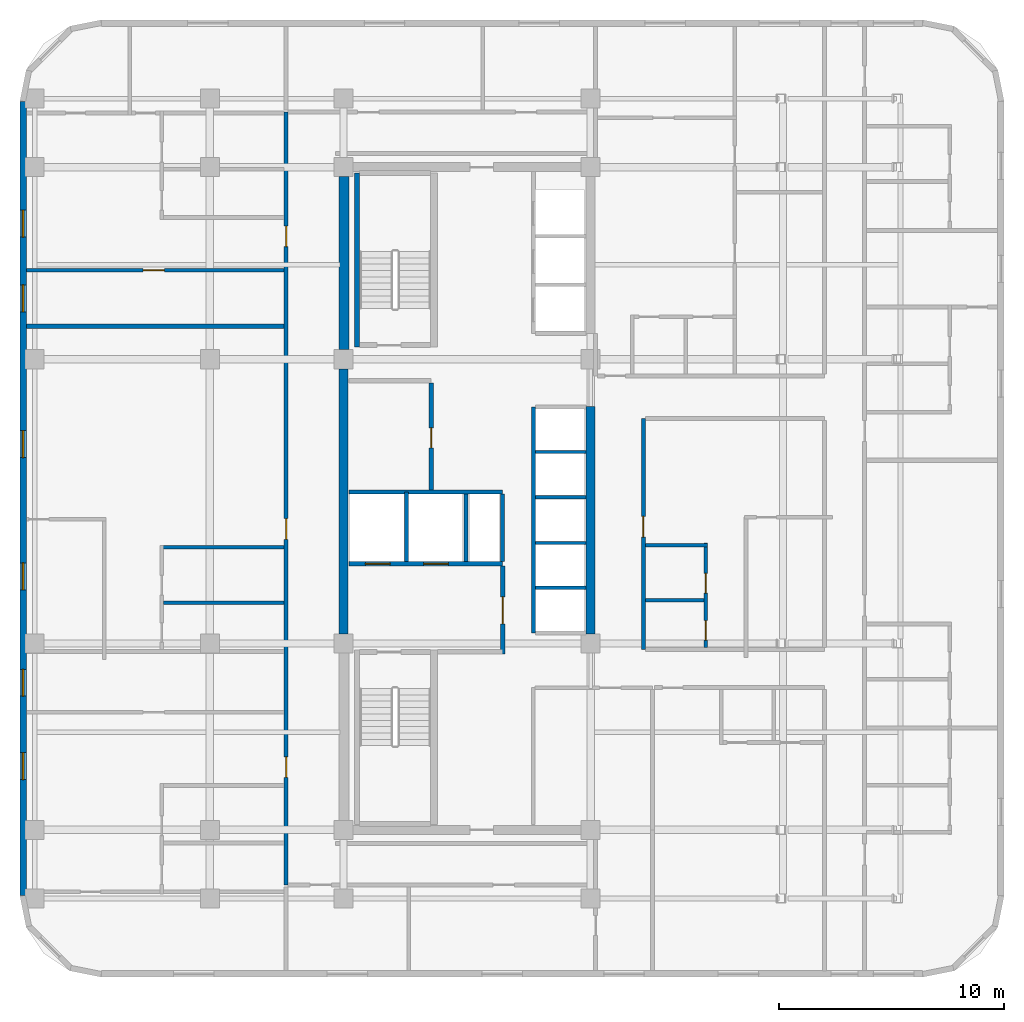
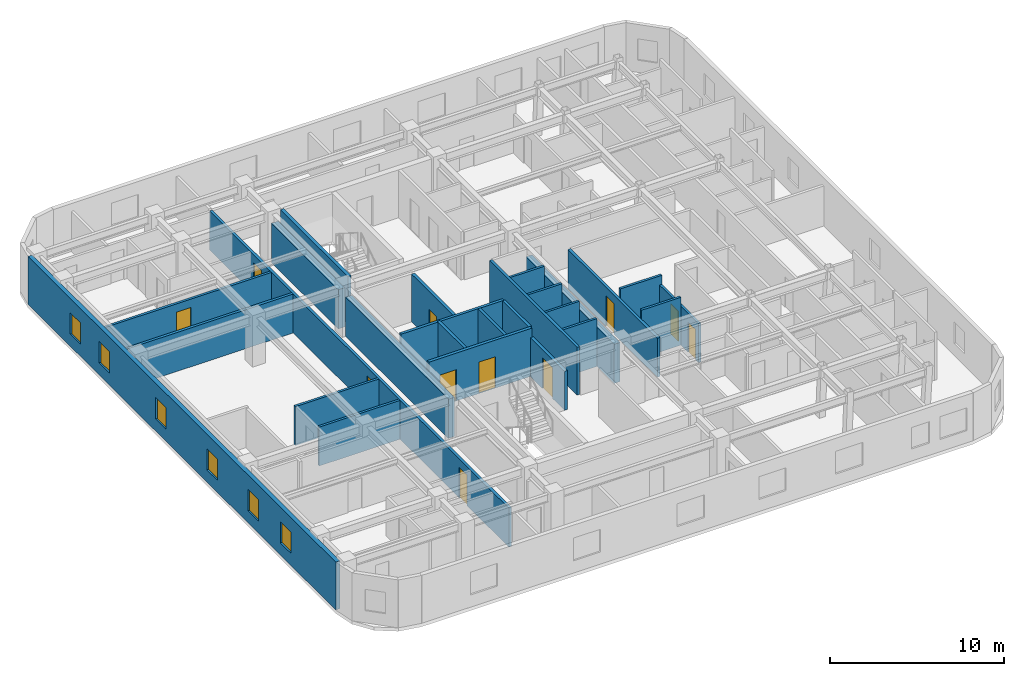
# One storey, part 4 of 9: 26 walls, 11 doors, 6 windows, 17 openings.
"""IFC4 building model written with IfcOpenShell, lengths in metres."""

from ifc_helpers import new_model, si_unit, direction, frame, frame_2d, origin, place, context, subcontext, project, spatial, rectangle, extrude, material, layer, layer_set, type_object, element, fill, save


model = new_model("IFC4")

# Units and contexts
model_context = context("Model", 3, precision=1e-05, world=origin(), true_north=direction((0.0, 1.0)))
body_context = subcontext(model_context, "Body", "Model", "MODEL_VIEW")
ifc_project = project(units=[si_unit("LENGTHUNIT", "METRE"), si_unit("AREAUNIT", "SQUARE_METRE"), si_unit("VOLUMEUNIT", "CUBIC_METRE"), si_unit("PLANEANGLEUNIT", "RADIAN"), si_unit("MASSUNIT", "GRAM", prefix="KILO")], contexts=[model_context])

# Site, building, storey
site_placement = place(None, origin())
site = spatial("IfcSite", under=ifc_project, at=site_placement, CompositionType="ELEMENT")
building_placement = place(site_placement, origin())
building = spatial("IfcBuilding", under=site, at=building_placement, Name="Ochreholt Gables", CompositionType="ELEMENT")
storey_placement = place(building_placement, frame((0.0, 0.0, 106.199951171875)))
storey = spatial("IfcBuildingStorey", under=building, at=storey_placement, Name="L27", CompositionType="ELEMENT", Elevation=106.199951171875)

# Walls
ifc_material_1 = material(Name="Concrete 60 MPa", Category="concrete")
ifc_layer_1 = layer(ifc_material_1, 0.39990234375, Name="Concrete 60 MPa")
ifc_layer_set_1 = layer_set([ifc_layer_1], Name="Concrete 60 MPa")
wall_type_1 = type_object("IfcWallType", Name="WALL-CSW-400", PredefinedType="SHEAR", material=ifc_layer_set_1)
wall_1_placement = place(storey_placement, frame((24.199951171875, 17.97509765625, 0.0), z_axis=(0.0, 0.0, 1.0), x_axis=(0.0, 1.0, 0.0)))
element("IfcWall", 1, at=wall_1_placement, inside=storey, type_object=wall_type_1, Name="L27 Core West Shear Wall WM", PredefinedType="SHEAR", context=body_context, shape_type="SweptSolid", body=[
    extrude(rectangle(XDim=11.7998046875, YDim=0.39990234375, at=frame_2d((5.89990234375, 0.0))), origin(), (0.0, 0.0, 1.0), 2.7490234375),
])
wall_2_placement = place(storey_placement, frame((35.199951171875, 17.97509765625, 0.0), z_axis=(0.0, 0.0, 1.0), x_axis=(0.0, 1.0, 0.0)))
element("IfcWall", 2, at=wall_2_placement, inside=storey, type_object=wall_type_1, Name="L27 Core Central-East Shear Wall", PredefinedType="SHEAR", context=body_context, shape_type="SweptSolid", body=[
    extrude(rectangle(XDim=10.125, YDim=0.39990234375, at=frame_2d((5.0625, 0.0))), origin(), (0.0, 0.0, 1.0), 2.7490234375),
])
ifc_layer_2 = layer(ifc_material_1, 0.449951171875, Name="Concrete 60 MPa")
ifc_layer_set_2 = layer_set([ifc_layer_2], Name="Concrete 60 MPa")
wall_type_2 = type_object("IfcWallType", Name="WALL-CSW-450", PredefinedType="SHEAR", material=ifc_layer_set_2)
wall_3_placement = place(storey_placement, frame((24.22509765625, 30.625, 0.0), z_axis=(0.0, 0.0, 1.0), x_axis=(0.0, 1.0, 0.0)))
element("IfcWall", 3, at=wall_3_placement, inside=storey, type_object=wall_type_2, Name="L27 Core West Shear Wall WN", PredefinedType="SHEAR", context=body_context, shape_type="SweptSolid", body=[
    extrude(rectangle(XDim=7.699951171875, YDim=0.449951171875, at=frame_2d((3.85009765625, 0.0))), origin(), (0.0, 0.0, 1.0), 2.7490234375),
])

# Wall, openings, windows
ifc_material_2 = material(Name="Precast concrete 40 MPa", Category="concrete")
ifc_layer_3 = layer(ifc_material_2, 0.280029296875, Name="Precast concrete 40 MPa")
ifc_layer_set_3 = layer_set([ifc_layer_3], Name="Precast concrete 40 MPa")
wall_type_3 = type_object("IfcWallType", Name="WALL-EXT-280", PredefinedType="SOLIDWALL", material=ifc_layer_set_3)
wall_4_placement = place(storey_placement, frame((9.93994140625, 41.679931640625, 0.0), z_axis=(0.0, 0.0, 1.0), x_axis=(0.0, -1.0, 0.0)))
wall_4 = element("IfcWall", 4, at=wall_4_placement, inside=storey, type_object=wall_type_3, Name="L27 West Exterior Wall", PredefinedType="SOLIDWALL", context=body_context, shape_type="SweptSolid", body=[
    extrude(rectangle(XDim=35.35986328125, YDim=0.280029296875, at=frame_2d((17.679931640625, 0.0))), origin(), (0.0, 0.0, 1.0), 3.360107421875),
])
opening_1_placement = place(wall_4_placement, frame((28.9912109375, 0.0, 0.85009765625)))
opening_1 = element("IfcOpeningElement", 5, at=opening_1_placement, cuts=wall_4, Name="Opening WN-3", PredefinedType="OPENING", context=body_context, shape_type="SweptSolid", body=[
    extrude(rectangle(XDim=1.199951171875, YDim=1.5, at=frame_2d((0.60009765625, 0.75))), frame((0.0, 0.14990234375, 0.0), z_axis=(0.0, -1.0, 0.0), x_axis=(1.0, 0.0, 0.0)), (0.0, 0.0, 1.0), 0.300048828125),
])
opening_2_placement = place(wall_4_placement, frame((25.281005859375, 0.0, 0.85009765625)))
opening_2 = element("IfcOpeningElement", 6, at=opening_2_placement, cuts=wall_4, Name="Opening WN-3", PredefinedType="OPENING", context=body_context, shape_type="SweptSolid", body=[
    extrude(rectangle(XDim=1.199951171875, YDim=1.5, at=frame_2d((0.60009765625, 0.75))), frame((0.0, 0.14990234375, 0.0), z_axis=(0.0, -1.0, 0.0), x_axis=(1.0, 0.0, 0.0)), (0.0, 0.0, 1.0), 0.300048828125),
])
opening_3_placement = place(wall_4_placement, frame((20.548095703125, 0.0, 0.85009765625)))
opening_3 = element("IfcOpeningElement", 7, at=opening_3_placement, cuts=wall_4, Name="Opening WN-3", PredefinedType="OPENING", context=body_context, shape_type="SweptSolid", body=[
    extrude(rectangle(XDim=1.199951171875, YDim=1.5, at=frame_2d((0.60009765625, 0.75))), frame((0.0, 0.14990234375, 0.0), z_axis=(0.0, -1.0, 0.0), x_axis=(1.0, 0.0, 0.0)), (0.0, 0.0, 1.0), 0.300048828125),
])
opening_4_placement = place(wall_4_placement, frame((14.6630859375, 0.0, 0.85009765625)))
opening_4 = element("IfcOpeningElement", 8, at=opening_4_placement, cuts=wall_4, Name="Opening WN-3", PredefinedType="OPENING", context=body_context, shape_type="SweptSolid", body=[
    extrude(rectangle(XDim=1.199951171875, YDim=1.5, at=frame_2d((0.60009765625, 0.75))), frame((0.0, 0.14990234375, 0.0), z_axis=(0.0, -1.0, 0.0), x_axis=(1.0, 0.0, 0.0)), (0.0, 0.0, 1.0), 0.300048828125),
])
opening_5_placement = place(wall_4_placement, frame((8.1669921875, 0.0, 0.85009765625)))
opening_5 = element("IfcOpeningElement", 9, at=opening_5_placement, cuts=wall_4, Name="Opening WN-3", PredefinedType="OPENING", context=body_context, shape_type="SweptSolid", body=[
    extrude(rectangle(XDim=1.199951171875, YDim=1.5, at=frame_2d((0.60009765625, 0.75))), frame((0.0, 0.14990234375, 0.0), z_axis=(0.0, -1.0, 0.0), x_axis=(1.0, 0.0, 0.0)), (0.0, 0.0, 1.0), 0.300048828125),
])
opening_6_placement = place(wall_4_placement, frame((4.845947265625, 0.0, 0.85009765625)))
opening_6 = element("IfcOpeningElement", 10, at=opening_6_placement, cuts=wall_4, Name="Opening WN-3", PredefinedType="OPENING", context=body_context, shape_type="SweptSolid", body=[
    extrude(rectangle(XDim=1.199951171875, YDim=1.5, at=frame_2d((0.60009765625, 0.75))), frame((0.0, 0.14990234375, 0.0), z_axis=(0.0, -1.0, 0.0), x_axis=(1.0, 0.0, 0.0)), (0.0, 0.0, 1.0), 0.300048828125),
])
ifc_material_3 = material(Name="Triple-Glazed Thermally Broken Aluminium Window", Category="aluminium")
window_type = type_object("IfcWindowType", Name="WIN-RES-1200", PartitioningType="SINGLE_PANEL", PredefinedType="WINDOW", material=ifc_material_3)
window_1_placement = place(opening_1_placement, origin())
window_1 = element("IfcWindow", 11, at=window_1_placement, inside=storey, type_object=window_type, Name="L27 Window W-EXT-W-L27-1", OverallHeight=1.5, OverallWidth=1.199951171875, PartitioningType="SINGLE_PANEL", PredefinedType="WINDOW", context=body_context, shape_type="SweptSolid", body=[
    extrude(rectangle(XDim=1.199951171875, YDim=1.5, at=frame_2d((0.60009765625, 0.75))), frame((0.0, 0.030029296875, 0.0), z_axis=(0.0, -1.0, 0.0), x_axis=(1.0, 0.0, 0.0)), (0.0, 0.0, 1.0), 0.06005859375),
])
fill(opening_1, window_1)
window_2_placement = place(opening_2_placement, origin())
window_2 = element("IfcWindow", 12, at=window_2_placement, inside=storey, type_object=window_type, Name="L27 Window W-EXT-W-L27-2", OverallHeight=1.5, OverallWidth=1.199951171875, PartitioningType="SINGLE_PANEL", PredefinedType="WINDOW", context=body_context, shape_type="SweptSolid", body=[
    extrude(rectangle(XDim=1.199951171875, YDim=1.5, at=frame_2d((0.60009765625, 0.75))), frame((0.0, 0.030029296875, 0.0), z_axis=(0.0, -1.0, 0.0), x_axis=(1.0, 0.0, 0.0)), (0.0, 0.0, 1.0), 0.06005859375),
])
fill(opening_2, window_2)
window_3_placement = place(opening_3_placement, origin())
window_3 = element("IfcWindow", 13, at=window_3_placement, inside=storey, type_object=window_type, Name="L27 Window W-EXT-W-L27-3", OverallHeight=1.5, OverallWidth=1.199951171875, PartitioningType="SINGLE_PANEL", PredefinedType="WINDOW", context=body_context, shape_type="SweptSolid", body=[
    extrude(rectangle(XDim=1.199951171875, YDim=1.5, at=frame_2d((0.60009765625, 0.75))), frame((0.0, 0.030029296875, 0.0), z_axis=(0.0, -1.0, 0.0), x_axis=(1.0, 0.0, 0.0)), (0.0, 0.0, 1.0), 0.06005859375),
])
fill(opening_3, window_3)
window_4_placement = place(opening_4_placement, origin())
window_4 = element("IfcWindow", 14, at=window_4_placement, inside=storey, type_object=window_type, Name="L27 Window W-EXT-W-L27-4", OverallHeight=1.5, OverallWidth=1.199951171875, PartitioningType="SINGLE_PANEL", PredefinedType="WINDOW", context=body_context, shape_type="SweptSolid", body=[
    extrude(rectangle(XDim=1.199951171875, YDim=1.5, at=frame_2d((0.60009765625, 0.75))), frame((0.0, 0.030029296875, 0.0), z_axis=(0.0, -1.0, 0.0), x_axis=(1.0, 0.0, 0.0)), (0.0, 0.0, 1.0), 0.06005859375),
])
fill(opening_4, window_4)
window_5_placement = place(opening_5_placement, origin())
window_5 = element("IfcWindow", 15, at=window_5_placement, inside=storey, type_object=window_type, Name="L27 Window W-EXT-W-L27-5", OverallHeight=1.5, OverallWidth=1.199951171875, PartitioningType="SINGLE_PANEL", PredefinedType="WINDOW", context=body_context, shape_type="SweptSolid", body=[
    extrude(rectangle(XDim=1.199951171875, YDim=1.5, at=frame_2d((0.60009765625, 0.75))), frame((0.0, 0.030029296875, 0.0), z_axis=(0.0, -1.0, 0.0), x_axis=(1.0, 0.0, 0.0)), (0.0, 0.0, 1.0), 0.06005859375),
])
fill(opening_5, window_5)
window_6_placement = place(opening_6_placement, origin())
window_6 = element("IfcWindow", 16, at=window_6_placement, inside=storey, type_object=window_type, Name="L27 Window W-EXT-W-L27-6", OverallHeight=1.5, OverallWidth=1.199951171875, PartitioningType="SINGLE_PANEL", PredefinedType="WINDOW", context=body_context, shape_type="SweptSolid", body=[
    extrude(rectangle(XDim=1.199951171875, YDim=1.5, at=frame_2d((0.60009765625, 0.75))), frame((0.0, 0.030029296875, 0.0), z_axis=(0.0, -1.0, 0.0), x_axis=(1.0, 0.0, 0.0)), (0.0, 0.0, 1.0), 0.06005859375),
])
fill(opening_6, window_6)

# Wall, openings, doors
ifc_material_4 = material(Name="Concrete 40 MPa", Category="concrete")
ifc_layer_4 = layer(ifc_material_4, 0.199951171875, Name="Concrete 40 MPa")
ifc_layer_set_4 = layer_set([ifc_layer_4], Name="Concrete 40 MPa")
wall_type_4 = type_object("IfcWallType", Name="WALL-INT-CF200", PredefinedType="STANDARD", material=ifc_layer_set_4)
wall_5_placement = place(storey_placement, frame((24.449951171875, 21.090087890625, 0.0), z_axis=(0.0, 0.0, 1.0), x_axis=(1.0, 0.0, 0.0)))
wall_5 = element("IfcWall", 17, at=wall_5_placement, inside=storey, type_object=wall_type_4, Name="L27 Interior Wall WI-FFN-L27", PredefinedType="STANDARD", context=body_context, shape_type="SweptSolid", body=[
    extrude(rectangle(XDim=6.830078125, YDim=0.199951171875, at=frame_2d((3.4150390625, 0.0))), origin(), (0.0, 0.0, 1.0), 3.360107421875),
])
opening_7_placement = place(wall_5_placement, frame((0.719970703125, 0.0, 0.0)))
opening_7 = element("IfcOpeningElement", 18, at=opening_7_placement, cuts=wall_5, Name="Opening LD-FF", PredefinedType="OPENING", context=body_context, shape_type="SweptSolid", body=[
    extrude(rectangle(XDim=1.10009765625, YDim=2.199951171875, at=frame_2d((0.550048828125, 1.10009765625))), frame((0.0, 0.10986328125, 0.0), z_axis=(0.0, -1.0, 0.0), x_axis=(1.0, 0.0, 0.0)), (0.0, 0.0, 1.0), 0.219970703125),
])
opening_8_placement = place(wall_5_placement, frame((3.320068359375, 0.0, 0.0)))
opening_8 = element("IfcOpeningElement", 19, at=opening_8_placement, cuts=wall_5, Name="Opening LD-FF", PredefinedType="OPENING", context=body_context, shape_type="SweptSolid", body=[
    extrude(rectangle(XDim=1.10009765625, YDim=2.199951171875, at=frame_2d((0.550048828125, 1.10009765625))), frame((0.0, 0.10986328125, 0.0), z_axis=(0.0, -1.0, 0.0), x_axis=(1.0, 0.0, 0.0)), (0.0, 0.0, 1.0), 0.219970703125),
])
ifc_material_5 = material(Name="Stainless Steel", Category="steel")
door_type_1 = type_object("IfcDoorType", Name="DR-LFT-FF1100", OperationType="NOTDEFINED", PredefinedType="DOOR", material=ifc_material_5)
door_1_placement = place(opening_7_placement, origin())
door_1 = element("IfcDoor", 20, at=door_1_placement, inside=storey, type_object=door_type_1, Name="L27 Door LD-FF1-L27", OperationType="SLIDING_TO_LEFT", OverallHeight=2.199951171875, OverallWidth=1.10009765625, PredefinedType="DOOR", context=body_context, shape_type="SweptSolid", body=[
    extrude(rectangle(XDim=1.10009765625, YDim=2.199951171875, at=frame_2d((0.550048828125, 1.10009765625))), frame((0.0, 0.02490234375, 0.0), z_axis=(0.0, -1.0, 0.0), x_axis=(1.0, 0.0, 0.0)), (0.0, 0.0, 1.0), 0.050048828125),
])
fill(opening_7, door_1)
door_2_placement = place(opening_8_placement, origin())
door_2 = element("IfcDoor", 21, at=door_2_placement, inside=storey, type_object=door_type_1, Name="L27 Door LD-FF2-L27", OperationType="SLIDING_TO_LEFT", OverallHeight=2.199951171875, OverallWidth=1.10009765625, PredefinedType="DOOR", context=body_context, shape_type="SweptSolid", body=[
    extrude(rectangle(XDim=1.10009765625, YDim=2.199951171875, at=frame_2d((0.550048828125, 1.10009765625))), frame((0.0, 0.02490234375, 0.0), z_axis=(0.0, -1.0, 0.0), x_axis=(1.0, 0.0, 0.0)), (0.0, 0.0, 1.0), 0.050048828125),
])
fill(opening_8, door_2)

# Wall, opening, door
wall_6_placement = place(storey_placement, frame((31.280029296875, 17.070068359375, 0.0), z_axis=(0.0, 0.0, 1.0), x_axis=(0.0, 1.0, 0.0)))
wall_6 = element("IfcWall", 22, at=wall_6_placement, inside=storey, type_object=wall_type_4, Name="L27 Interior Wall WI-FFE-L27", PredefinedType="STANDARD", context=body_context, shape_type="SweptSolid", body=[
    extrude(rectangle(XDim=3.919921875, YDim=0.199951171875, at=frame_2d((1.9599609375, 0.0))), origin(), (0.0, 0.0, 1.0), 2.73095703125),
])
opening_9_placement = place(wall_6_placement, frame((1.35009765625, 0.0, 0.0)))
opening_9 = element("IfcOpeningElement", 23, at=opening_9_placement, cuts=wall_6, Name="Opening D-FFL", PredefinedType="OPENING", context=body_context, shape_type="SweptSolid", body=[
    extrude(rectangle(XDim=1.199951171875, YDim=2.14990234375, at=frame_2d((0.60009765625, 1.074951171875))), frame((0.0, 0.10986328125, 0.0), z_axis=(0.0, -1.0, 0.0), x_axis=(1.0, 0.0, 0.0)), (0.0, 0.0, 1.0), 0.219970703125),
])
ifc_material_6 = material(Name="Hollow Metal Steel", Category="steel")
door_type_2 = type_object("IfcDoorType", Name="DR-INT-FFL1200", OperationType="NOTDEFINED", PredefinedType="DOOR", material=ifc_material_6)
door_3_placement = place(opening_9_placement, origin())
door_3 = element("IfcDoor", 24, at=door_3_placement, inside=storey, type_object=door_type_2, Name="L27 Door D-FFL-L27", OperationType="SINGLE_SWING_LEFT", OverallHeight=2.14990234375, OverallWidth=1.199951171875, PredefinedType="DOOR", context=body_context, shape_type="SweptSolid", body=[
    extrude(rectangle(XDim=1.199951171875, YDim=2.14990234375, at=frame_2d((0.60009765625, 1.074951171875))), frame((0.0, 0.02490234375, 0.0), z_axis=(0.0, -1.0, 0.0), x_axis=(1.0, 0.0, 0.0)), (0.0, 0.0, 1.0), 0.050048828125),
])
fill(opening_9, door_3)

wall_7_placement = place(storey_placement, frame((28.10009765625, 24.389892578125, 0.0), z_axis=(0.0, 0.0, 1.0), x_axis=(0.0, 1.0, 0.0)))
wall_7 = element("IfcWall", 25, at=wall_7_placement, inside=storey, type_object=wall_type_4, Name="L27 Interior Wall WI-SRVE-L27", PredefinedType="STANDARD", context=body_context, shape_type="SweptSolid", body=[
    extrude(rectangle(XDim=4.75, YDim=0.199951171875, at=frame_2d((2.375, 0.0))), origin(), (0.0, 0.0, 1.0), 3.360107421875),
])
opening_10_placement = place(wall_7_placement, frame((1.860107421875, 0.0, 0.0)))
opening_10 = element("IfcOpeningElement", 26, at=opening_10_placement, cuts=wall_7, Name="Opening D-SV1", PredefinedType="OPENING", context=body_context, shape_type="SweptSolid", body=[
    extrude(rectangle(XDim=0.89990234375, YDim=2.10009765625, at=frame_2d((0.449951171875, 1.050048828125))), frame((0.0, 0.10986328125, 0.0), z_axis=(0.0, -1.0, 0.0), x_axis=(1.0, 0.0, 0.0)), (0.0, 0.0, 1.0), 0.219970703125),
])
door_type_3 = type_object("IfcDoorType", Name="DR-INT-SRV900", OperationType="NOTDEFINED", PredefinedType="DOOR", material=ifc_material_6)
door_4_placement = place(opening_10_placement, origin())
door_4 = element("IfcDoor", 27, at=door_4_placement, inside=storey, type_object=door_type_3, Name="L27 Door D-SRV1-L27", OperationType="SINGLE_SWING_LEFT", OverallHeight=2.10009765625, OverallWidth=0.89990234375, PredefinedType="DOOR", context=body_context, shape_type="SweptSolid", body=[
    extrude(rectangle(XDim=0.89990234375, YDim=2.10009765625, at=frame_2d((0.449951171875, 1.050048828125))), frame((0.0, 0.02490234375, 0.0), z_axis=(0.0, -1.0, 0.0), x_axis=(1.0, 0.0, 0.0)), (0.0, 0.0, 1.0), 0.050048828125),
])
fill(opening_10, door_4)

ifc_material_7 = material(Name="Fire-Rated Gypsum Acoustic Partition", Category="gypsum")
ifc_layer_5 = layer(ifc_material_7, 0.179931640625, Name="Fire-Rated Gypsum Acoustic Partition")
ifc_layer_set_5 = layer_set([ifc_layer_5], Name="Fire-Rated Gypsum Acoustic Partition")
wall_type_5 = type_object("IfcWallType", Name="WALL-INT-CR180", PredefinedType="STANDARD", material=ifc_layer_set_5)
wall_8_placement = place(storey_placement, frame((37.550048828125, 17.280029296875, 0.0), z_axis=(0.0, 0.0, 1.0), x_axis=(0.0, 1.0, 0.0)))
wall_8 = element("IfcWall", 28, at=wall_8_placement, inside=storey, type_object=wall_type_5, Name="L27 Interior Wall WI-C2EM-L27", PredefinedType="STANDARD", context=body_context, shape_type="SweptSolid", body=[
    extrude(rectangle(XDim=10.280029296875, YDim=0.179931640625, at=frame_2d((5.14013671875, 0.0))), origin(), (0.0, 0.0, 1.0), 2.73095703125),
])
opening_11_placement = place(wall_8_placement, frame((5.0, 0.0, 0.0)))
opening_11 = element("IfcOpeningElement", 29, at=opening_11_placement, cuts=wall_8, Name="Opening D-UN1", PredefinedType="OPENING", context=body_context, shape_type="SweptSolid", body=[
    extrude(rectangle(XDim=0.919921875, YDim=2.14990234375, at=frame_2d((0.4599609375, 1.074951171875))), frame((0.0, 0.099853515625, 0.0), z_axis=(0.0, -1.0, 0.0), x_axis=(1.0, 0.0, 0.0)), (0.0, 0.0, 1.0), 0.199951171875),
])
ifc_material_8 = material(Name="Engineered Oak Timber", Category="wood")
door_type_4 = type_object("IfcDoorType", Name="DR-INT-UNT920", OperationType="NOTDEFINED", PredefinedType="DOOR", material=ifc_material_8)
door_5_placement = place(opening_11_placement, origin())
door_5 = element("IfcDoor", 30, at=door_5_placement, inside=storey, type_object=door_type_4, Name="L27 Door D-U-L27M1-ENT", OperationType="SINGLE_SWING_RIGHT", OverallHeight=2.14990234375, OverallWidth=0.919921875, PredefinedType="DOOR", context=body_context, shape_type="SweptSolid", body=[
    extrude(rectangle(XDim=0.919921875, YDim=2.14990234375, at=frame_2d((0.4599609375, 1.074951171875))), frame((0.0, 0.02490234375, 0.0), z_axis=(0.0, -1.0, 0.0), x_axis=(1.0, 0.0, 0.0)), (0.0, 0.0, 1.0), 0.050048828125),
])
fill(opening_11, door_5)

# Wall, openings, doors
wall_9_placement = place(storey_placement, frame((21.64990234375, 6.800048828125, 0.0), z_axis=(0.0, 0.0, 1.0), x_axis=(0.0, 1.0, 0.0)))
wall_9 = element("IfcWall", 31, at=wall_9_placement, inside=storey, type_object=wall_type_5, Name="L27 Interior Wall WI-C2WCW-L27", PredefinedType="STANDARD", context=body_context, shape_type="SweptSolid", body=[
    extrude(rectangle(XDim=34.39990234375, YDim=0.179931640625, at=frame_2d((17.199951171875, 0.0))), origin(), (0.0, 0.0, 1.0), 2.73095703125),
])
opening_12_placement = place(wall_9_placement, frame((4.785400390625, 0.0, 0.0)))
opening_12 = element("IfcOpeningElement", 32, at=opening_12_placement, cuts=wall_9, Name="Opening D-UN1", PredefinedType="OPENING", context=body_context, shape_type="SweptSolid", body=[
    extrude(rectangle(XDim=0.919921875, YDim=2.14990234375, at=frame_2d((0.4599609375, 1.074951171875))), frame((0.0, 0.099853515625, 0.0), z_axis=(0.0, -1.0, 0.0), x_axis=(1.0, 0.0, 0.0)), (0.0, 0.0, 1.0), 0.199951171875),
])
opening_13_placement = place(wall_9_placement, frame((15.384033203125, 0.0, 0.0)))
opening_13 = element("IfcOpeningElement", 33, at=opening_13_placement, cuts=wall_9, Name="Opening D-UN1", PredefinedType="OPENING", context=body_context, shape_type="SweptSolid", body=[
    extrude(rectangle(XDim=0.919921875, YDim=2.14990234375, at=frame_2d((0.4599609375, 1.074951171875))), frame((0.0, 0.099853515625, 0.0), z_axis=(0.0, -1.0, 0.0), x_axis=(1.0, 0.0, 0.0)), (0.0, 0.0, 1.0), 0.199951171875),
])
opening_14_placement = place(wall_9_placement, frame((28.409912109375, 0.0, 0.0)))
opening_14 = element("IfcOpeningElement", 34, at=opening_14_placement, cuts=wall_9, Name="Opening D-UN1", PredefinedType="OPENING", context=body_context, shape_type="SweptSolid", body=[
    extrude(rectangle(XDim=0.919921875, YDim=2.14990234375, at=frame_2d((0.4599609375, 1.074951171875))), frame((0.0, 0.099853515625, 0.0), z_axis=(0.0, -1.0, 0.0), x_axis=(1.0, 0.0, 0.0)), (0.0, 0.0, 1.0), 0.199951171875),
])
door_6_placement = place(opening_12_placement, origin())
door_6 = element("IfcDoor", 35, at=door_6_placement, inside=storey, type_object=door_type_4, Name="L27 Door D-U-L27W1-ENT", OperationType="SINGLE_SWING_LEFT", OverallHeight=2.14990234375, OverallWidth=0.919921875, PredefinedType="DOOR", context=body_context, shape_type="SweptSolid", body=[
    extrude(rectangle(XDim=0.919921875, YDim=2.14990234375, at=frame_2d((0.4599609375, 1.074951171875))), frame((0.0, 0.02490234375, 0.0), z_axis=(0.0, -1.0, 0.0), x_axis=(1.0, 0.0, 0.0)), (0.0, 0.0, 1.0), 0.050048828125),
])
fill(opening_12, door_6)
door_7_placement = place(opening_13_placement, origin())
door_7 = element("IfcDoor", 36, at=door_7_placement, inside=storey, type_object=door_type_4, Name="L27 Door D-U-L27W2-ENT", OperationType="SINGLE_SWING_RIGHT", OverallHeight=2.14990234375, OverallWidth=0.919921875, PredefinedType="DOOR", context=body_context, shape_type="SweptSolid", body=[
    extrude(rectangle(XDim=0.919921875, YDim=2.14990234375, at=frame_2d((0.4599609375, 1.074951171875))), frame((0.0, 0.02490234375, 0.0), z_axis=(0.0, -1.0, 0.0), x_axis=(1.0, 0.0, 0.0)), (0.0, 0.0, 1.0), 0.050048828125),
])
fill(opening_13, door_7)
door_8_placement = place(opening_14_placement, origin())
door_8 = element("IfcDoor", 37, at=door_8_placement, inside=storey, type_object=door_type_4, Name="L27 Door D-U-L27W3-ENT", OperationType="SINGLE_SWING_LEFT", OverallHeight=2.14990234375, OverallWidth=0.919921875, PredefinedType="DOOR", context=body_context, shape_type="SweptSolid", body=[
    extrude(rectangle(XDim=0.919921875, YDim=2.14990234375, at=frame_2d((0.4599609375, 1.074951171875))), frame((0.0, 0.02490234375, 0.0), z_axis=(0.0, -1.0, 0.0), x_axis=(1.0, 0.0, 0.0)), (0.0, 0.0, 1.0), 0.050048828125),
])
fill(opening_14, door_8)

# Walls
ifc_material_9 = material(Name="Double-Stud Acoustic Demising Wall", Category="gypsum")
ifc_layer_6 = layer(ifc_material_9, 0.179931640625, Name="Double-Stud Acoustic Demising Wall")
ifc_layer_set_6 = layer_set([ifc_layer_6], Name="Double-Stud Acoustic Demising Wall")
wall_type_6 = type_object("IfcWallType", Name="WALL-INT-DM180", PredefinedType="PARTITIONING", material=ifc_layer_set_6)
wall_10_placement = place(storey_placement, frame((10.080078125, 31.66796875, 0.0), z_axis=(0.0, 0.0, 1.0), x_axis=(1.0, 0.0, 0.0)))
element("IfcWall", 38, at=wall_10_placement, inside=storey, type_object=wall_type_6, Name="L27 Interior Wall WI-C2UDW3-L27", PredefinedType="PARTITIONING", context=body_context, shape_type="SweptSolid", body=[
    extrude(rectangle(XDim=11.47998046875, YDim=0.179931640625, at=frame_2d((5.739990234375, 0.0))), origin(), (0.0, 0.0, 1.0), 2.73095703125),
])
ifc_material_10 = material(Name="Moisture-Resistant Plumbing Chase Wall", Category="gypsum")
ifc_layer_7 = layer(ifc_material_10, 0.159912109375, Name="Moisture-Resistant Plumbing Chase Wall")
ifc_layer_set_7 = layer_set([ifc_layer_7], Name="Moisture-Resistant Plumbing Chase Wall")
wall_type_7 = type_object("IfcWallType", Name="WALL-INT-PL160", PredefinedType="PLUMBINGWALL", material=ifc_layer_set_7)
wall_11_placement = place(storey_placement, frame((37.639892578125, 21.919921875, 0.0), z_axis=(0.0, 0.0, 1.0), x_axis=(1.0, 0.0, 0.0)))
element("IfcWall", 39, at=wall_11_placement, inside=storey, type_object=wall_type_7, Name="L27 Interior Wall WU-L27M1-WYN", PredefinedType="PLUMBINGWALL", context=body_context, shape_type="SweptSolid", body=[
    extrude(rectangle(XDim=2.758056640625, YDim=0.159912109375, at=frame_2d((1.37890625, 0.0))), origin(), (0.0, 0.0, 1.0), 3.360107421875),
])

# Wall, openings, doors
wall_12_placement = place(storey_placement, frame((40.318115234375, 17.3701171875, 0.0), z_axis=(0.0, 0.0, 1.0), x_axis=(0.0, 1.0, 0.0)))
wall_12 = element("IfcWall", 40, at=wall_12_placement, inside=storey, type_object=wall_type_7, Name="L27 Interior Wall WU-L27M1-WX", PredefinedType="PLUMBINGWALL", context=body_context, shape_type="SweptSolid", body=[
    extrude(rectangle(XDim=4.639892578125, YDim=0.159912109375, at=frame_2d((2.31982421875, 0.0))), origin(), (0.0, 0.0, 1.0), 2.73095703125),
])
opening_15_placement = place(wall_12_placement, frame((0.330078125, 0.0, 0.0)))
opening_15 = element("IfcOpeningElement", 41, at=opening_15_placement, cuts=wall_12, Name="Opening D-BT1", PredefinedType="OPENING", context=body_context, shape_type="SweptSolid", body=[
    extrude(rectangle(XDim=0.860107421875, YDim=2.1201171875, at=frame_2d((0.43017578125, 1.06005859375))), frame((0.0, 0.08984375, 0.0), z_axis=(0.0, -1.0, 0.0), x_axis=(1.0, 0.0, 0.0)), (0.0, 0.0, 1.0), 0.179931640625),
])
opening_16_placement = place(wall_12_placement, frame((2.423095703125, 0.0, 0.0)))
opening_16 = element("IfcOpeningElement", 42, at=opening_16_placement, cuts=wall_12, Name="Opening D-GN2", PredefinedType="OPENING", context=body_context, shape_type="SweptSolid", body=[
    extrude(rectangle(XDim=0.8798828125, YDim=2.1201171875, at=frame_2d((0.43994140625, 1.06005859375))), frame((0.0, 0.08984375, 0.0), z_axis=(0.0, -1.0, 0.0), x_axis=(1.0, 0.0, 0.0)), (0.0, 0.0, 1.0), 0.179931640625),
])
door_type_5 = type_object("IfcDoorType", Name="DR-INT-BTH860", OperationType="NOTDEFINED", PredefinedType="DOOR", material=ifc_material_8)
door_9_placement = place(opening_15_placement, origin())
door_9 = element("IfcDoor", 43, at=door_9_placement, inside=storey, type_object=door_type_5, Name="L27 Door D-U-L27M1-BTH", OperationType="SINGLE_SWING_LEFT", OverallHeight=2.1201171875, OverallWidth=0.860107421875, PredefinedType="DOOR", context=body_context, shape_type="SweptSolid", body=[
    extrude(rectangle(XDim=0.860107421875, YDim=2.1201171875, at=frame_2d((0.43017578125, 1.06005859375))), frame((0.0, 0.02490234375, 0.0), z_axis=(0.0, -1.0, 0.0), x_axis=(1.0, 0.0, 0.0)), (0.0, 0.0, 1.0), 0.050048828125),
])
fill(opening_15, door_9)
door_type_6 = type_object("IfcDoorType", Name="DR-INT-GEN880", OperationType="NOTDEFINED", PredefinedType="DOOR", material=ifc_material_8)
door_10_placement = place(opening_16_placement, origin())
door_10 = element("IfcDoor", 44, at=door_10_placement, inside=storey, type_object=door_type_6, Name="L27 Door D-U-L27M1-KIT", OperationType="SINGLE_SWING_RIGHT", OverallHeight=2.1201171875, OverallWidth=0.8798828125, PredefinedType="DOOR", context=body_context, shape_type="SweptSolid", body=[
    extrude(rectangle(XDim=0.8798828125, YDim=2.1201171875, at=frame_2d((0.43994140625, 1.06005859375))), frame((0.0, 0.02490234375, 0.0), z_axis=(0.0, -1.0, 0.0), x_axis=(1.0, 0.0, 0.0)), (0.0, 0.0, 1.0), 0.050048828125),
])
fill(opening_16, door_10)

# Walls
wall_13_placement = place(storey_placement, frame((37.639892578125, 19.462890625, 0.0), z_axis=(0.0, 0.0, 1.0), x_axis=(1.0, 0.0, 0.0)))
element("IfcWall", 45, at=wall_13_placement, inside=storey, type_object=wall_type_7, Name="L27 Interior Wall WU-L27M1-WM", PredefinedType="PLUMBINGWALL", context=body_context, shape_type="SweptSolid", body=[
    extrude(rectangle(XDim=2.59814453125, YDim=0.159912109375, at=frame_2d((1.299072265625, 0.0))), origin(), (0.0, 0.0, 1.0), 3.360107421875),
])
wall_14_placement = place(storey_placement, frame((16.030029296875, 21.823974609375, 0.0), z_axis=(0.0, 0.0, 1.0), x_axis=(1.0, 0.0, 0.0)))
element("IfcWall", 46, at=wall_14_placement, inside=storey, type_object=wall_type_7, Name="L27 Interior Wall WU-L27W2-WYN", PredefinedType="PLUMBINGWALL", context=body_context, shape_type="SweptSolid", body=[
    extrude(rectangle(XDim=5.530029296875, YDim=0.159912109375, at=frame_2d((2.76513671875, 0.0))), origin(), (0.0, 0.0, 1.0), 2.73095703125),
])
wall_15_placement = place(storey_placement, frame((16.18994140625, 19.366943359375, 0.0), z_axis=(0.0, 0.0, 1.0), x_axis=(1.0, 0.0, 0.0)))
element("IfcWall", 47, at=wall_15_placement, inside=storey, type_object=wall_type_7, Name="L27 Interior Wall WU-L27W2-WM", PredefinedType="PLUMBINGWALL", context=body_context, shape_type="SweptSolid", body=[
    extrude(rectangle(XDim=5.3701171875, YDim=0.159912109375, at=frame_2d((2.68505859375, 0.0))), origin(), (0.0, 0.0, 1.0), 2.73095703125),
])

# Wall, opening, door
ifc_material_11 = material(Name="Gypsum Acoustic Stud Partition", Category="gypsum")
ifc_layer_8 = layer(ifc_material_11, 0.1650390625, Name="Gypsum Acoustic Stud Partition")
ifc_layer_set_8 = layer_set([ifc_layer_8], Name="Gypsum Acoustic Stud Partition")
wall_type_8 = type_object("IfcWallType", Name="WALL-INT-PT165", PredefinedType="PARTITIONING", material=ifc_layer_set_8)
wall_16_placement = place(storey_placement, frame((10.080078125, 34.157958984375, 0.0), z_axis=(0.0, 0.0, 1.0), x_axis=(1.0, 0.0, 0.0)))
wall_16 = element("IfcWall", 48, at=wall_16_placement, inside=storey, type_object=wall_type_8, Name="L27 Interior Wall WU-L27W3-DNW", PredefinedType="PARTITIONING", context=body_context, shape_type="SweptSolid", body=[
    extrude(rectangle(XDim=11.47998046875, YDim=0.1650390625, at=frame_2d((5.739990234375, 0.0))), origin(), (0.0, 0.0, 1.0), 2.73095703125),
])
opening_17_placement = place(wall_16_placement, frame((5.195068359375, 0.0, 0.0)))
opening_17 = element("IfcOpeningElement", 49, at=opening_17_placement, cuts=wall_16, Name="Opening D-GN1", PredefinedType="OPENING", context=body_context, shape_type="SweptSolid", body=[
    extrude(rectangle(XDim=0.949951171875, YDim=2.14990234375, at=frame_2d((0.47509765625, 1.074951171875))), frame((0.0, 0.092529296875, 0.0), z_axis=(0.0, -1.0, 0.0), x_axis=(1.0, 0.0, 0.0)), (0.0, 0.0, 1.0), 0.18505859375),
])
door_type_7 = type_object("IfcDoorType", Name="DR-INT-GEN950", OperationType="NOTDEFINED", PredefinedType="DOOR", material=ifc_material_8)
door_11_placement = place(opening_17_placement, origin())
door_11 = element("IfcDoor", 50, at=door_11_placement, inside=storey, type_object=door_type_7, Name="L27 Door D-U-L27W3-DIN", OperationType="SINGLE_SWING_RIGHT", OverallHeight=2.14990234375, OverallWidth=0.949951171875, PredefinedType="DOOR", context=body_context, shape_type="SweptSolid", body=[
    extrude(rectangle(XDim=0.949951171875, YDim=2.14990234375, at=frame_2d((0.47509765625, 1.074951171875))), frame((0.0, 0.02490234375, 0.0), z_axis=(0.0, -1.0, 0.0), x_axis=(1.0, 0.0, 0.0)), (0.0, 0.0, 1.0), 0.050048828125),
])
fill(opening_17, door_11)

# Walls
ifc_material_12 = material(Name="Gypsum Shaftliner and Steel Stud", Category="steel")
ifc_layer_9 = layer(ifc_material_12, 0.14990234375, Name="Gypsum Shaftliner and Steel Stud")
ifc_layer_set_9 = layer_set([ifc_layer_9], Name="Gypsum Shaftliner and Steel Stud")
wall_type_9 = type_object("IfcWallType", Name="WALL-INT-SH150", PredefinedType="STANDARD", material=ifc_layer_set_9)
for number, where, z_axis, x_axis, name in (
    (51, (32.739990234375, 20.02001953125, 0.0), (0.0, 0.0, 1.0), (1.0, 0.0, 0.0), "L27 Interior Wall WI-LFHE-DH1-L27"),
    (52, (32.739990234375, 22.02001953125, 0.0), (0.0, 0.0, 1.0), (1.0, 0.0, 0.0), "L27 Interior Wall WI-LFHE-DH2-L27"),
    (53, (32.739990234375, 24.050048828125, 0.0), (0.0, 0.0, 1.0), (1.0, 0.0, 0.0), "L27 Interior Wall WI-LFHE-DHE-L27"),
    (54, (32.739990234375, 26.070068359375, 0.0), (0.0, 0.0, 1.0), (1.0, 0.0, 0.0), "L27 Interior Wall WI-LFHE-DEX1-L27"),
):
    element("IfcWall", number, at=place(storey_placement, frame(where, z_axis=z_axis, x_axis=x_axis)), inside=storey, type_object=wall_type_9, Name=name, PredefinedType="STANDARD", context=body_context, shape_type="SweptSolid", body=[
        extrude(rectangle(XDim=2.260009765625, YDim=0.14990234375, at=frame_2d((1.1298828125, 0.0))), origin(), (0.0, 0.0, 1.0), 3.360107421875),
    ])
ifc_layer_10 = layer(ifc_material_12, 0.179931640625, Name="Gypsum Shaftliner and Steel Stud")
ifc_layer_set_10 = layer_set([ifc_layer_10], Name="Gypsum Shaftliner and Steel Stud")
wall_type_10 = type_object("IfcWallType", Name="WALL-INT-SH180", PredefinedType="STANDARD", material=ifc_layer_set_10)
wall_17_placement = place(storey_placement, frame((27.0, 21.18994140625, 0.0), z_axis=(0.0, 0.0, 1.0), x_axis=(0.0, 1.0, 0.0)))
element("IfcWall", 55, at=wall_17_placement, inside=storey, type_object=wall_type_10, Name="L27 Interior Wall WI-FFDIV-L27", PredefinedType="STANDARD", context=body_context, shape_type="SweptSolid", body=[
    extrude(rectangle(XDim=3.110107421875, YDim=0.179931640625, at=frame_2d((1.55517578125, 0.0))), origin(), (0.0, 0.0, 1.0), 3.360107421875),
])
wall_18_placement = place(storey_placement, frame((24.449951171875, 24.300048828125, 0.0), z_axis=(0.0, 0.0, 1.0), x_axis=(1.0, 0.0, 0.0)))
element("IfcWall", 56, at=wall_18_placement, inside=storey, type_object=wall_type_10, Name="L27 Interior Wall WI-FFBK-L27", PredefinedType="STANDARD", context=body_context, shape_type="SweptSolid", body=[
    extrude(rectangle(XDim=6.830078125, YDim=0.179931640625, at=frame_2d((3.4150390625, 0.0))), origin(), (0.0, 0.0, 1.0), 3.360107421875),
])
for number, where, z_axis, x_axis, name in (
    (57, (29.64990234375, 21.18994140625, 0.0), (0.0, 0.0, 1.0), (0.0, 1.0, 0.0), "L27 Interior Wall WI-FFSH-L27"),
    (58, (31.280029296875, 21.18994140625, 0.0), (0.0, 0.0, 1.0), (0.0, 1.0, 0.0), "L27 Interior Wall WI-RSE-L27"),
):
    element("IfcWall", number, at=place(storey_placement, frame(where, z_axis=z_axis, x_axis=x_axis)), inside=storey, type_object=wall_type_10, Name=name, PredefinedType="STANDARD", context=body_context, shape_type="SweptSolid", body=[
        extrude(rectangle(XDim=3.02001953125, YDim=0.179931640625, at=frame_2d((1.510009765625, 0.0))), origin(), (0.0, 0.0, 1.0), 3.360107421875),
    ])
wall_19_placement = place(storey_placement, frame((32.64990234375, 18.02001953125, 0.0), z_axis=(0.0, 0.0, 1.0), x_axis=(0.0, 1.0, 0.0)))
element("IfcWall", 59, at=wall_19_placement, inside=storey, type_object=wall_type_10, Name="L27 Interior Wall WI-LFHE-FR-L27", PredefinedType="STANDARD", context=body_context, shape_type="SweptSolid", body=[
    extrude(rectangle(XDim=10.06005859375, YDim=0.179931640625, at=frame_2d((5.030029296875, 0.0))), origin(), (0.0, 0.0, 1.0), 3.360107421875),
])
ifc_material_13 = material(Name="Concrete 50 MPa", Category="concrete")
ifc_layer_11 = layer(ifc_material_13, 0.219970703125, Name="Concrete 50 MPa")
ifc_layer_set_11 = layer_set([ifc_layer_11], Name="Concrete 50 MPa")
wall_type_11 = type_object("IfcWallType", Name="WALL-STW-220", PredefinedType="SHEAR", material=ifc_layer_set_11)
wall_20_placement = place(storey_placement, frame((24.81005859375, 30.739990234375, 0.0), z_axis=(0.0, 0.0, 1.0), x_axis=(0.0, 1.0, 0.0)))
element("IfcWall", 60, at=wall_20_placement, inside=storey, type_object=wall_type_11, Name="L27 Exit Stair 2 West Wall", PredefinedType="SHEAR", context=body_context, shape_type="SweptSolid", body=[
    extrude(rectangle(XDim=7.760009765625, YDim=0.219970703125, at=frame_2d((3.8798828125, 0.0))), origin(), (0.0, 0.0, 1.0), 3.360107421875),
])

save(model, "model.ifc")
